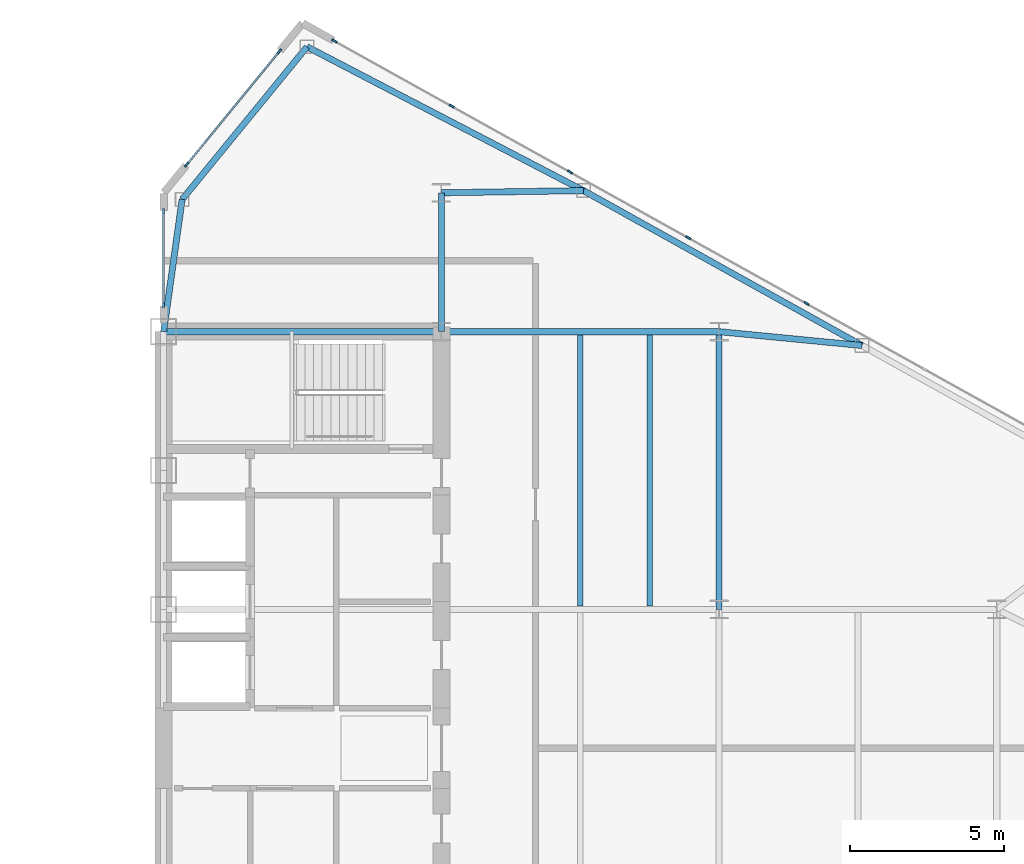
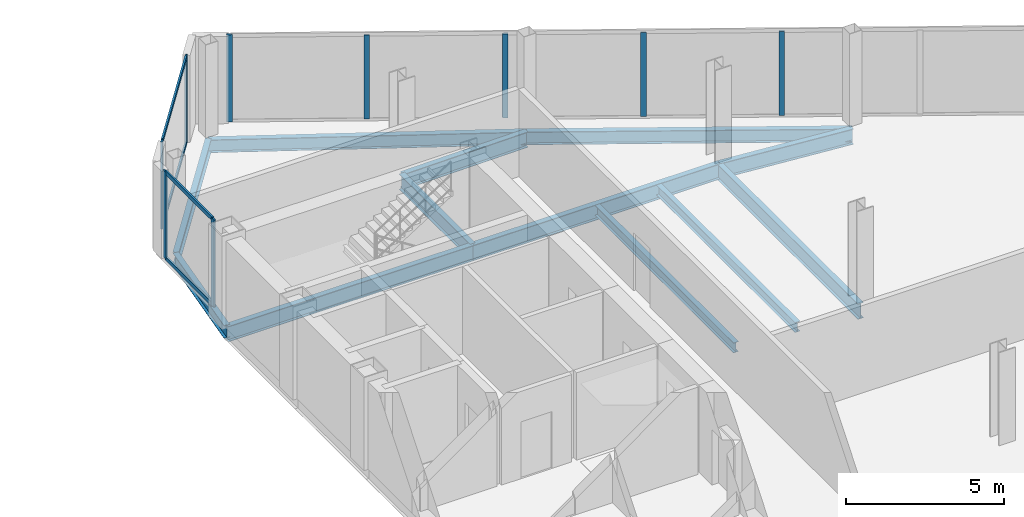
# One storey, part 15 of 26: 13 members, 12 beams, 3 elements without a shape of their own.
"""IFC4 building model written with IfcOpenShell, lengths in metres."""

from ifc_helpers import new_model, si_unit, direction, frame, origin, origin_2d, place, context, subcontext, project, spatial, rectangle, i_section, extrude, source, transform, mapped, material, layer, layer_set, material_profile, profile_set, type_object, type_shapes, element, aggregate, save


model = new_model("IFC4")

# Units and contexts
model_context = context("Model", 3, precision=1e-05, world=origin(), true_north=direction((0.0, 1.0)))
body_context = subcontext(model_context, "Body", "Model", "MODEL_VIEW")
ifc_project = project(units=[si_unit("LENGTHUNIT", "METRE"), si_unit("AREAUNIT", "SQUARE_METRE"), si_unit("VOLUMEUNIT", "CUBIC_METRE"), si_unit("PLANEANGLEUNIT", "RADIAN"), si_unit("MASSUNIT", "GRAM", prefix="KILO")], contexts=[model_context])

# Site, building, storey
site_placement = place(None, origin())
site = spatial("IfcSite", under=ifc_project, at=site_placement, CompositionType="ELEMENT")
building_placement = place(site_placement, origin())
building = spatial("IfcBuilding", under=site, at=building_placement, Name="Seokmaru Belvedere", CompositionType="ELEMENT")
storey_placement = place(building_placement, frame((0.0, 0.0, 177.89990234375)))
storey = spatial("IfcBuildingStorey", under=building, at=storey_placement, Name="L47", CompositionType="ELEMENT", Elevation=177.89990234375)

# Beams
ifc_material_1 = material(Name="Steel SM355 (355 MPa)", Category="steel")
ifc_material_profile_1 = material_profile(ifc_material_1, i_section(OverallWidth=0.199951171875, OverallDepth=0.60009765625, WebThickness=0.010986328125, FlangeThickness=0.01708984375, at=origin_2d()), Name="H-600x200x11x17")
ifc_profile_set_1 = profile_set([ifc_material_profile_1], Name="Steel SM355 (355 MPa)")
beam_type_1 = type_object("IfcBeamType", Name="Primary Floor Girder H-600", PredefinedType="BEAM", material=ifc_profile_set_1)
shared_shape_1 = source(origin(), body_context, "Body", "SweptSolid", [
    extrude(i_section(OverallWidth=0.199951171875, OverallDepth=0.60009765625, WebThickness=0.010986328125, FlangeThickness=0.01708984375, at=origin_2d()), origin(), (0.0, 0.0, 1.0), 9.0),
])
for number, where, z_axis, x_axis, name in (
    (1, (45.5, 4.5, -0.52001953125), (0.0, 1.0, 0.0), (-1.0, 0.0, 0.0), "L47 E Interior Grid Girder 3"),
    (2, (27.5, 13.5, -0.52001953125), (1.0, 0.0, 0.0), (0.0, 1.0, 0.0), "L47 E Core Tie Girder 4"),
    (3, (36.5, 13.5, -0.52001953125), (1.0, 0.0, 0.0), (0.0, 1.0, 0.0), "L47 E Wing Primary Girder 4"),
):
    element("IfcBeam", number, at=place(storey_placement, frame(where, z_axis=z_axis, x_axis=x_axis)), inside=storey, type_object=beam_type_1, Name=name, PredefinedType="BEAM", context=body_context, shape_type="MappedRepresentation", body=[
        mapped(shared_shape_1, transform((0.0, 0.0, 0.0), scale=1.0)),
    ])
ifc_material_profile_2 = material_profile(ifc_material_1, i_section(OverallWidth=0.18505859375, OverallDepth=0.389892578125, WebThickness=0.008056640625, FlangeThickness=0.011962890625, at=origin_2d()), Name="H-390x185x8x12")
ifc_profile_set_2 = profile_set([ifc_material_profile_2], Name="Steel SM355 (355 MPa)")
beam_type_2 = type_object("IfcBeamType", Name="Secondary Floor Joist H-350", PredefinedType="JOIST", material=ifc_profile_set_2)
shared_shape_2 = source(origin(), body_context, "Body", "SweptSolid", [
    extrude(i_section(OverallWidth=0.18505859375, OverallDepth=0.389892578125, WebThickness=0.008056640625, FlangeThickness=0.011962890625, at=origin_2d()), origin(), (0.0, 0.0, 1.0), 8.7900390625),
])
type_shapes(beam_type_2, [shared_shape_2])
for number, where, z_axis, x_axis, name in (
    (4, (43.25, 4.60498046875, -0.414794921875), (0.0, 1.0, 0.0), (-1.0, 0.0, 0.0), "L47 E Wing Inner Secondary Joist 2"),
    (5, (41.0, 4.60498046875, -0.414794921875), (0.0, 1.0, 0.0), (-1.0, 0.0, 0.0), "L47 E Secondary Floor Joist 3"),
):
    element("IfcBeam", number, at=place(storey_placement, frame(where, z_axis=z_axis, x_axis=x_axis)), inside=storey, type_object=beam_type_2, Name=name, PredefinedType="JOIST", context=body_context, shape_type="MappedRepresentation", body=[
        mapped(shared_shape_2, transform((0.0, 0.0, 0.0), scale=1.0)),
    ])
shared_shape_3 = source(origin(), body_context, "Body", "SweptSolid", [
    extrude(i_section(OverallWidth=0.199951171875, OverallDepth=0.60009765625, WebThickness=0.010986328125, FlangeThickness=0.01708984375, at=origin_2d()), origin(), (0.0, 0.0, 1.0), 4.5),
])
beam_1_placement = place(storey_placement, frame((36.5, 13.5, -0.52001953125), z_axis=(0.0, 1.0, 0.0), x_axis=(-1.0, 0.0, 0.0)))
element("IfcBeam", 6, at=beam_1_placement, inside=storey, type_object=beam_type_1, Name="L47 E Core Shoulder Girder N", PredefinedType="BEAM", context=body_context, shape_type="MappedRepresentation", body=[
    mapped(shared_shape_3, transform((0.0, 0.0, 0.0), scale=1.0)),
])
ifc_material_profile_3 = material_profile(ifc_material_1, i_section(OverallWidth=0.199951171875, OverallDepth=0.5, WebThickness=0.010009765625, FlangeThickness=0.01611328125, at=origin_2d()), Name="H-500x200x10x16")
ifc_profile_set_3 = profile_set([ifc_material_profile_3], Name="Steel SM355 (355 MPa)")
beam_type_3 = type_object("IfcBeamType", Name="Perimeter Spandrel Beam H-500", PredefinedType="SPANDREL", material=ifc_profile_set_3)
shared_shape_4 = source(origin(), body_context, "Body", "SweptSolid", [
    extrude(i_section(OverallWidth=0.199951171875, OverallDepth=0.5, WebThickness=0.010009765625, FlangeThickness=0.01611328125, at=origin_2d()), origin(), (0.0, 0.0, 1.0), 10.09716796875),
])
beam_2_placement = place(storey_placement, frame((32.146728515625, 22.731689453125, -0.469970703125), z_axis=(0.887085728914, -0.461604711369, 0.0), x_axis=(0.461604711369, 0.887085728914, 0.0)))
element("IfcBeam", 7, at=beam_2_placement, inside=storey, type_object=beam_type_3, Name="L47 E Faceted Flank Spandrel N-1", PredefinedType="SPANDREL", context=body_context, shape_type="MappedRepresentation", body=[
    mapped(shared_shape_4, transform((0.0, 0.0, 0.0), scale=1.0)),
])
shared_shape_5 = source(origin(), body_context, "Body", "SweptSolid", [
    extrude(i_section(OverallWidth=0.199951171875, OverallDepth=0.5, WebThickness=0.010009765625, FlangeThickness=0.01611328125, at=origin_2d()), origin(), (0.0, 0.0, 1.0), 10.327392578125),
])
beam_3_placement = place(storey_placement, frame((41.103759765625, 18.07080078125, -0.469970703125), z_axis=(0.873924120588, -0.486062374037, 0.0), x_axis=(0.486062374037, 0.873924120588, 0.0)))
element("IfcBeam", 8, at=beam_3_placement, inside=storey, type_object=beam_type_3, Name="L47 E Faceted Flank Spandrel N-2", PredefinedType="SPANDREL", context=body_context, shape_type="MappedRepresentation", body=[
    mapped(shared_shape_5, transform((0.0, 0.0, 0.0), scale=1.0)),
])
shared_shape_6 = source(origin(), body_context, "Body", "SweptSolid", [
    extrude(i_section(OverallWidth=0.199951171875, OverallDepth=0.5, WebThickness=0.010009765625, FlangeThickness=0.01611328125, at=origin_2d()), origin(), (0.0, 0.0, 1.0), 6.390380859375),
])
beam_4_placement = place(storey_placement, frame((32.146728515625, 22.731689453125, -0.469970703125), z_axis=(-0.63324403161, -0.7739521926, 0.0), x_axis=(0.7739521926, -0.63324403161, 0.0)))
element("IfcBeam", 9, at=beam_4_placement, inside=storey, type_object=beam_type_3, Name="L47 E Shoulder Chamfer Spandrel N", PredefinedType="SPANDREL", context=body_context, shape_type="MappedRepresentation", body=[
    mapped(shared_shape_6, transform((0.0, 0.0, 0.0), scale=1.0)),
])
shared_shape_7 = source(origin(), body_context, "Body", "SweptSolid", [
    extrude(i_section(OverallWidth=0.199951171875, OverallDepth=0.5, WebThickness=0.010009765625, FlangeThickness=0.01611328125, at=origin_2d()), origin(), (0.0, 0.0, 1.0), 4.32763671875),
])
type_shapes(beam_type_3, [shared_shape_4, shared_shape_5, shared_shape_6, shared_shape_7])
beam_5_placement = place(storey_placement, frame((28.10009765625, 17.785888671875, -0.469970703125), z_axis=(-0.138664443237, -0.990339422714, 0.0), x_axis=(0.990339422714, -0.138664443237, 0.0)))
element("IfcBeam", 10, at=beam_5_placement, inside=storey, type_object=beam_type_3, Name="L47 E Shoulder Spine Spandrel N", PredefinedType="SPANDREL", context=body_context, shape_type="MappedRepresentation", body=[
    mapped(shared_shape_7, transform((0.0, 0.0, 0.0), scale=1.0)),
])
shared_shape_8 = source(origin(), body_context, "Body", "SweptSolid", [
    extrude(i_section(OverallWidth=0.199951171875, OverallDepth=0.60009765625, WebThickness=0.010986328125, FlangeThickness=0.01708984375, at=origin_2d()), origin(), (0.0, 0.0, 1.0), 4.604248046875),
])
beam_6_placement = place(storey_placement, frame((41.103759765625, 18.07080078125, -0.52001953125), z_axis=(-0.999881765622, -0.01537708607, 0.0), x_axis=(0.01537708607, -0.999881765622, 0.0)))
element("IfcBeam", 11, at=beam_6_placement, inside=storey, type_object=beam_type_1, Name="L47 E Flank Radial Floor Girder N-1", PredefinedType="BEAM", context=body_context, shape_type="MappedRepresentation", body=[
    mapped(shared_shape_8, transform((0.0, 0.0, 0.0), scale=1.0)),
])
shared_shape_9 = source(origin(), body_context, "Body", "SweptSolid", [
    extrude(i_section(OverallWidth=0.199951171875, OverallDepth=0.60009765625, WebThickness=0.010986328125, FlangeThickness=0.01708984375, at=origin_2d()), origin(), (0.0, 0.0, 1.0), 4.65087890625),
])
type_shapes(beam_type_1, [shared_shape_1, shared_shape_3, shared_shape_8, shared_shape_9])
beam_7_placement = place(storey_placement, frame((50.129150390625, 13.051025390625, -0.52001953125), z_axis=(-0.995329534874, 0.09653557379, 0.0), x_axis=(-0.09653557379, -0.995329534874, 0.0)))
element("IfcBeam", 12, at=beam_7_placement, inside=storey, type_object=beam_type_1, Name="L47 E Flank Radial Floor Girder N-2", PredefinedType="BEAM", context=body_context, shape_type="MappedRepresentation", body=[
    mapped(shared_shape_9, transform((0.0, 0.0, 0.0), scale=1.0)),
])

# Curtain wall, members
ifc_material_2 = material(Name="Bronze Triple Insulating Glass", Category="glass")
ifc_layer = layer(ifc_material_2, 0.179931640625)
ifc_layer_set = layer_set([ifc_layer], Name="Bronze Triple Insulating Glass")
curtain_wall_type = type_object("IfcCurtainWallType", Name="High-Rise Wind-Corner Curtain Wall System CW-5", PredefinedType="NOTDEFINED", material=ifc_layer_set)
curtain_wall_1_placement = place(storey_placement, origin())
curtain_wall_1 = element("IfcCurtainWall", 13, at=curtain_wall_1_placement, inside=storey, type_object=curtain_wall_type, Name="L47 Curtain Wall ESP_2", PredefinedType="NOTDEFINED")
ifc_material_3 = material(Name="Anodised Bronze Aluminium", Category="aluminium")
ifc_material_profile_4 = material_profile(ifc_material_3, rectangle(XDim=0.06494140625, YDim=0.14990234375, at=origin_2d()), Name="CW-T-65x150")
ifc_profile_set_4 = profile_set([ifc_material_profile_4], Name="Anodised Bronze Aluminium")
member_type_1 = type_object("IfcMemberType", Name="Bronze Unitised Transom 65x150", PredefinedType="USERDEFINED", material=ifc_profile_set_4)
shared_shape_10 = source(origin(), body_context, "Body", "SweptSolid", [
    extrude(rectangle(XDim=0.06494140625, YDim=0.14990234375, at=origin_2d()), origin(), (0.0, 0.0, 1.0), 2.969970703125),
])
member_1_placement = place(storey_placement, frame((27.5, 17.364990234375, 0.03271484375), z_axis=(0.0, -1.0, 0.0), x_axis=(1.0, 0.0, 0.0)))
member_1 = element("IfcMember", 14, at=member_1_placement, type_object=member_type_1, Name="CW:L47:ESP_2 Continuous Transom 1", ObjectType="TRANSOM", PredefinedType="USERDEFINED", context=body_context, shape_type="MappedRepresentation", body=[
    mapped(shared_shape_10, transform((0.0, 0.0, 0.0), scale=1.0)),
])
member_2_placement = place(storey_placement, frame((27.5, 17.364990234375, 3.34765625), z_axis=(0.0, -1.0, 0.0), x_axis=(1.0, 0.0, 0.0)))
member_2 = element("IfcMember", 15, at=member_2_placement, type_object=member_type_1, Name="CW:L47:ESP_2 Continuous Transom 2", ObjectType="TRANSOM", PredefinedType="USERDEFINED", context=body_context, shape_type="MappedRepresentation", body=[
    mapped(shared_shape_10, transform((0.0, 0.0, 0.0), scale=1.0)),
])

curtain_wall_2_placement = place(storey_placement, origin())
curtain_wall_2 = element("IfcCurtainWall", 16, at=curtain_wall_2_placement, inside=storey, type_object=curtain_wall_type, Name="L47 Curtain Wall EF4", PredefinedType="NOTDEFINED")
shared_shape_11 = source(origin(), body_context, "Body", "SweptSolid", [
    extrude(rectangle(XDim=0.06494140625, YDim=0.14990234375, at=origin_2d()), origin(), (0.0, 0.0, 1.0), 4.67626953125),
])
type_shapes(member_type_1, [shared_shape_10, shared_shape_11])
member_3_placement = place(storey_placement, frame((31.230712890625, 22.5595703125, 0.03271484375), z_axis=(-0.633277591216, -0.773924733074, 0.0), x_axis=(0.773924733074, -0.633277591216, 0.0)))
member_3 = element("IfcMember", 17, at=member_3_placement, type_object=member_type_1, Name="CW:L47:EF4 Continuous Transom 1", ObjectType="TRANSOM", PredefinedType="USERDEFINED", context=body_context, shape_type="MappedRepresentation", body=[
    mapped(shared_shape_11, transform((0.0, 0.0, 0.0), scale=1.0)),
])
member_4_placement = place(storey_placement, frame((31.230712890625, 22.5595703125, 3.34765625), z_axis=(-0.633277591216, -0.773924733074, 0.0), x_axis=(0.773924733074, -0.633277591216, 0.0)))
member_4 = element("IfcMember", 18, at=member_4_placement, type_object=member_type_1, Name="CW:L47:EF4 Continuous Transom 2", ObjectType="TRANSOM", PredefinedType="USERDEFINED", context=body_context, shape_type="MappedRepresentation", body=[
    mapped(shared_shape_11, transform((0.0, 0.0, 0.0), scale=1.0)),
])

curtain_wall_3_placement = place(storey_placement, origin())
curtain_wall_3 = element("IfcCurtainWall", 19, at=curtain_wall_3_placement, inside=storey, type_object=curtain_wall_type, Name="L47 Curtain Wall EF3", PredefinedType="NOTDEFINED")
ifc_material_profile_5 = material_profile(ifc_material_3, rectangle(XDim=0.06494140625, YDim=0.179931640625, at=origin_2d()), Name="CW-M-65x180")
ifc_profile_set_5 = profile_set([ifc_material_profile_5], Name="Anodised Bronze Aluminium")
member_type_2 = type_object("IfcMemberType", Name="Bronze Unitised Mullion 65x180", PredefinedType="MULLION", material=ifc_profile_set_5)
shared_shape_12 = source(origin(), body_context, "Body", "SweptSolid", [
    extrude(rectangle(XDim=0.06494140625, YDim=0.179931640625, at=origin_2d()), origin(), (0.0, 0.0, 1.0), 3.25),
])
member_5_placement = place(storey_placement, frame((48.333984375, 14.415771484375, 0.065185546875), z_axis=(0.0, 0.0, 1.0), x_axis=(-0.486047125147, -0.873932601598, 0.0)))
member_5 = element("IfcMember", 20, at=member_5_placement, type_object=member_type_2, Name="CW:L47:EF3 Mullion 6", PredefinedType="MULLION", context=body_context, shape_type="MappedRepresentation", body=[
    mapped(shared_shape_12, transform((0.0, 0.0, 0.0), scale=1.0)),
])
member_6_placement = place(storey_placement, frame((44.501708984375, 16.547119140625, 0.065185546875), z_axis=(0.0, 0.0, 1.0), x_axis=(-0.486047125147, -0.873932601598, 0.0)))
member_6 = element("IfcMember", 21, at=member_6_placement, type_object=member_type_2, Name="CW:L47:EF3 Mullion 7", PredefinedType="MULLION", context=body_context, shape_type="MappedRepresentation", body=[
    mapped(shared_shape_12, transform((0.0, 0.0, 0.0), scale=1.0)),
])
member_7_placement = place(storey_placement, frame((40.66943359375, 18.67822265625, 0.065185546875), z_axis=(0.0, 0.0, 1.0), x_axis=(-0.486047125147, -0.873932601598, 0.0)))
member_7 = element("IfcMember", 22, at=member_7_placement, type_object=member_type_2, Name="CW:L47:EF3 Mullion 8", PredefinedType="MULLION", context=body_context, shape_type="MappedRepresentation", body=[
    mapped(shared_shape_12, transform((0.0, 0.0, 0.0), scale=1.0)),
])
member_8_placement = place(storey_placement, frame((36.837158203125, 20.809814453125, 0.065185546875), z_axis=(0.0, 0.0, 1.0), x_axis=(-0.486047125147, -0.873932601598, 0.0)))
member_8 = element("IfcMember", 23, at=member_8_placement, type_object=member_type_2, Name="CW:L47:EF3 Mullion 9", PredefinedType="MULLION", context=body_context, shape_type="MappedRepresentation", body=[
    mapped(shared_shape_12, transform((0.0, 0.0, 0.0), scale=1.0)),
])
shared_shape_13 = source(origin(), body_context, "Body", "SweptSolid", [
    extrude(rectangle(XDim=0.06494140625, YDim=0.179931640625, at=origin_2d()), origin(), (0.0, 0.0, 1.0), 3.380126953125),
])
type_shapes(member_type_2, [shared_shape_12, shared_shape_13])
member_9_placement = place(storey_placement, frame((33.033447265625, 22.92529296875, 0.0), z_axis=(0.0, 0.0, 1.0), x_axis=(-0.486047125147, -0.873932601598, 0.0)))
member_9 = element("IfcMember", 24, at=member_9_placement, type_object=member_type_2, Name="CW:L47:EF3 Mullion 10", PredefinedType="MULLION", context=body_context, shape_type="MappedRepresentation", body=[
    mapped(shared_shape_13, transform((0.0, 0.0, 0.0), scale=1.0)),
])
aggregate(curtain_wall_3, [member_5, member_6, member_7, member_8, member_9])

# Member
member_10_placement = place(storey_placement, frame((31.251220703125, 22.584716796875, 0.0), z_axis=(0.0, 0.0, 1.0), x_axis=(0.773944112379, -0.633253907144, 0.0)))
member_10 = element("IfcMember", 25, at=member_10_placement, type_object=member_type_2, Name="CW:L47:EF4 Mullion 1", PredefinedType="MULLION", context=body_context, shape_type="MappedRepresentation", body=[
    mapped(shared_shape_13, transform((0.0, 0.0, 0.0), scale=1.0)),
])

member_11_placement = place(storey_placement, frame((28.248779296875, 18.915283203125, 0.0), z_axis=(0.0, 0.0, 1.0), x_axis=(0.773944112379, -0.633253907144, 0.0)))
member_11 = element("IfcMember", 26, at=member_11_placement, type_object=member_type_2, Name="CW:L47:EF4 Mullion 2", PredefinedType="MULLION", context=body_context, shape_type="MappedRepresentation", body=[
    mapped(shared_shape_13, transform((0.0, 0.0, 0.0), scale=1.0)),
])

aggregate(curtain_wall_2, [member_10, member_11, member_3, member_4])

member_12_placement = place(storey_placement, frame((27.5, 17.3974609375, 0.0), z_axis=(0.0, 0.0, 1.0), x_axis=(1.0, 0.0, 0.0)))
member_12 = element("IfcMember", 27, at=member_12_placement, type_object=member_type_2, Name="CW:L47:ESP_2 Mullion 1", PredefinedType="MULLION", context=body_context, shape_type="MappedRepresentation", body=[
    mapped(shared_shape_13, transform((0.0, 0.0, 0.0), scale=1.0)),
])

member_13_placement = place(storey_placement, frame((27.5, 14.362548828125, 0.0), z_axis=(0.0, 0.0, 1.0), x_axis=(1.0, 0.0, 0.0)))
member_13 = element("IfcMember", 28, at=member_13_placement, type_object=member_type_2, Name="CW:L47:ESP_2 Mullion 2", PredefinedType="MULLION", context=body_context, shape_type="MappedRepresentation", body=[
    mapped(shared_shape_13, transform((0.0, 0.0, 0.0), scale=1.0)),
])

aggregate(curtain_wall_1, [member_12, member_13, member_1, member_2])

save(model, "model.ifc")
